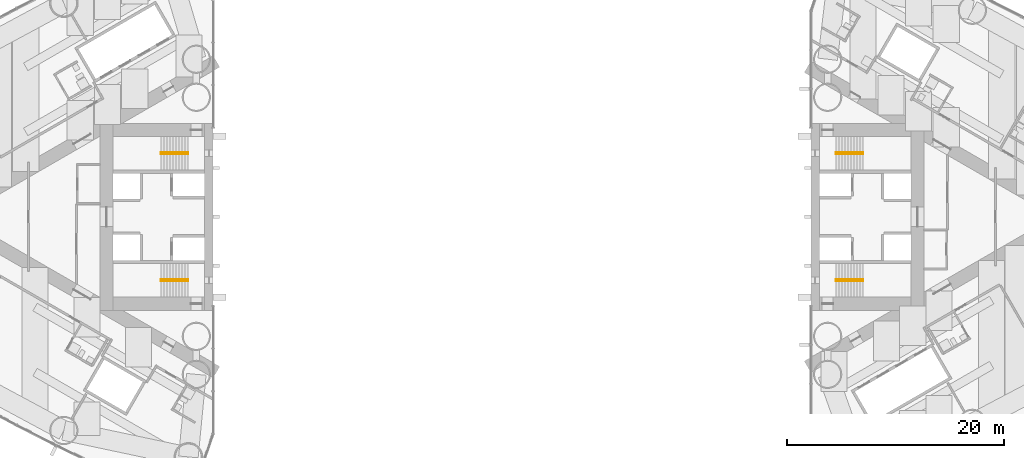
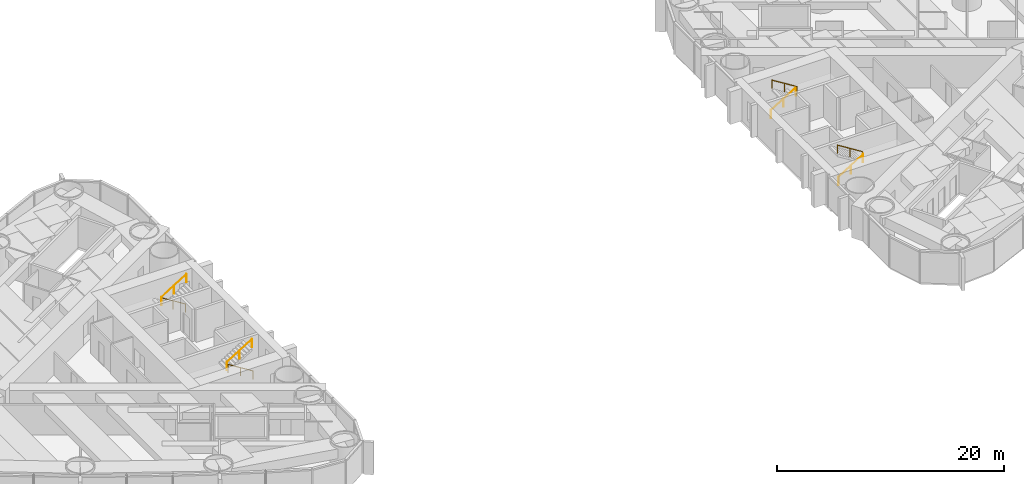
# One storey, part 17 of 18: 8 railings.
"""IFC4 building model written with IfcOpenShell, lengths in metres."""

from ifc_helpers import new_model, si_unit, direction, frame, origin, origin_2d, place, context, subcontext, project, spatial, circle, extrude, material, type_object, element, save


model = new_model("IFC4")

# Units and contexts
model_context = context("Model", 3, precision=1e-05, world=origin(), true_north=direction((0.0, 1.0)))
body_context = subcontext(model_context, "Body", "Model", "MODEL_VIEW")
ifc_project = project(units=[si_unit("LENGTHUNIT", "METRE"), si_unit("AREAUNIT", "SQUARE_METRE"), si_unit("VOLUMEUNIT", "CUBIC_METRE"), si_unit("PLANEANGLEUNIT", "RADIAN"), si_unit("MASSUNIT", "GRAM", prefix="KILO")], contexts=[model_context])

# Site, building, storey
site_placement = place(None, origin())
site = spatial("IfcSite", under=ifc_project, at=site_placement, CompositionType="ELEMENT")
building_placement = place(site_placement, origin())
building = spatial("IfcBuilding", under=site, at=building_placement, Name="Lancet Gate Hotel", CompositionType="ELEMENT")
storey_placement = place(building_placement, frame((0.0, 0.0, 108.10009765625)))
storey = spatial("IfcBuildingStorey", under=building, at=storey_placement, Name="L28", CompositionType="ELEMENT", Elevation=108.10009765625)

# Railings
ifc_material = material(Name="Stainless steel handrail", Category="steel")
railing_type = type_object("IfcRailingType", Name="Stair handrail 900", PredefinedType="HANDRAIL", material=ifc_material)
railing_1_placement = place(storey_placement, frame((-29.800048828125, 5.929931640625, 0.1748046875)))
element("IfcRailing", 1, at=railing_1_placement, inside=storey, type_object=railing_type, Name="ST1 handrail flight 1 L28", PredefinedType="HANDRAIL", context=body_context, shape_type="SweptSolid", body=[
    extrude(circle(Radius=0.02392578125, at=origin_2d()), frame((0.0, 0.0, 0.8759765625), z_axis=(-0.847970611238, 0.0, 0.530043245855), x_axis=(0.0, -1.0, 0.0)), (0.0, 0.0, 1.0), 2.971923828125),
    extrude(circle(Radius=0.02099609375, at=origin_2d()), origin(), (0.0, 0.0, 1.0), 0.851806640625),
    extrude(circle(Radius=0.02099609375, at=origin_2d()), frame((-1.260009765625, 0.0, 0.78759765625)), (0.0, 0.0, 1.0), 0.851806640625),
    extrude(circle(Radius=0.02099609375, at=origin_2d()), frame((-2.52001953125, 0.0, 1.5751953125)), (0.0, 0.0, 1.0), 0.851806640625),
])
railing_2_placement = place(storey_placement, frame((-32.320068359375, 5.77001953125, 1.9248046875)))
element("IfcRailing", 2, at=railing_2_placement, inside=storey, type_object=railing_type, Name="ST1 handrail flight 2 L28", PredefinedType="HANDRAIL", context=body_context, shape_type="SweptSolid", body=[
    extrude(circle(Radius=0.02392578125, at=origin_2d()), frame((0.0, 0.0, 0.8759765625), z_axis=(0.847970611238, 0.0, 0.530043245855), x_axis=(0.0, 1.0, 0.0)), (0.0, 0.0, 1.0), 2.971923828125),
    extrude(circle(Radius=0.02099609375, at=origin_2d()), origin(), (0.0, 0.0, 1.0), 0.851806640625),
    extrude(circle(Radius=0.02099609375, at=origin_2d()), frame((1.260009765625, 0.0, 0.78759765625)), (0.0, 0.0, 1.0), 0.851806640625),
    extrude(circle(Radius=0.02099609375, at=origin_2d()), frame((2.52001953125, 0.0, 1.5751953125)), (0.0, 0.0, 1.0), 0.851806640625),
])
railing_3_placement = place(storey_placement, frame((-29.800048828125, -5.929931640625, 0.1748046875)))
element("IfcRailing", 3, at=railing_3_placement, inside=storey, type_object=railing_type, Name="ST2 handrail flight 1 L28", PredefinedType="HANDRAIL", context=body_context, shape_type="SweptSolid", body=[
    extrude(circle(Radius=0.02392578125, at=origin_2d()), frame((0.0, 0.0, 0.8759765625), z_axis=(-0.847970611238, 0.0, 0.530043245855), x_axis=(0.0, -1.0, 0.0)), (0.0, 0.0, 1.0), 2.971923828125),
    extrude(circle(Radius=0.02099609375, at=origin_2d()), origin(), (0.0, 0.0, 1.0), 0.851806640625),
    extrude(circle(Radius=0.02099609375, at=origin_2d()), frame((-1.260009765625, 0.0, 0.78759765625)), (0.0, 0.0, 1.0), 0.851806640625),
    extrude(circle(Radius=0.02099609375, at=origin_2d()), frame((-2.52001953125, 0.0, 1.5751953125)), (0.0, 0.0, 1.0), 0.851806640625),
])
for number, where, name in (
    (4, (-32.320068359375, -5.77001953125, 1.9248046875), "ST2 handrail flight 2 L28"),
    (5, (29.800048828125, -5.929931640625, 0.1748046875), "ST3 handrail flight 1 L28"),
):
    element("IfcRailing", number, at=place(storey_placement, frame(where)), inside=storey, type_object=railing_type, Name=name, PredefinedType="HANDRAIL", context=body_context, shape_type="SweptSolid", body=[
        extrude(circle(Radius=0.02392578125, at=origin_2d()), frame((0.0, 0.0, 0.8759765625), z_axis=(0.847970611238, 0.0, 0.530043245855), x_axis=(0.0, 1.0, 0.0)), (0.0, 0.0, 1.0), 2.971923828125),
        extrude(circle(Radius=0.02099609375, at=origin_2d()), origin(), (0.0, 0.0, 1.0), 0.851806640625),
        extrude(circle(Radius=0.02099609375, at=origin_2d()), frame((1.260009765625, 0.0, 0.78759765625)), (0.0, 0.0, 1.0), 0.851806640625),
        extrude(circle(Radius=0.02099609375, at=origin_2d()), frame((2.52001953125, 0.0, 1.5751953125)), (0.0, 0.0, 1.0), 0.851806640625),
    ])
railing_4_placement = place(storey_placement, frame((32.320068359375, -5.77001953125, 1.9248046875)))
element("IfcRailing", 6, at=railing_4_placement, inside=storey, type_object=railing_type, Name="ST3 handrail flight 2 L28", PredefinedType="HANDRAIL", context=body_context, shape_type="SweptSolid", body=[
    extrude(circle(Radius=0.02392578125, at=origin_2d()), frame((0.0, 0.0, 0.8759765625), z_axis=(-0.847970611238, 0.0, 0.530043245855), x_axis=(0.0, -1.0, 0.0)), (0.0, 0.0, 1.0), 2.971923828125),
    extrude(circle(Radius=0.02099609375, at=origin_2d()), origin(), (0.0, 0.0, 1.0), 0.851806640625),
    extrude(circle(Radius=0.02099609375, at=origin_2d()), frame((-1.260009765625, 0.0, 0.78759765625)), (0.0, 0.0, 1.0), 0.851806640625),
    extrude(circle(Radius=0.02099609375, at=origin_2d()), frame((-2.52001953125, 0.0, 1.5751953125)), (0.0, 0.0, 1.0), 0.851806640625),
])
railing_5_placement = place(storey_placement, frame((29.800048828125, 5.929931640625, 0.1748046875)))
element("IfcRailing", 7, at=railing_5_placement, inside=storey, type_object=railing_type, Name="ST4 handrail flight 1 L28", PredefinedType="HANDRAIL", context=body_context, shape_type="SweptSolid", body=[
    extrude(circle(Radius=0.02392578125, at=origin_2d()), frame((0.0, 0.0, 0.8759765625), z_axis=(0.847970611238, 0.0, 0.530043245855), x_axis=(0.0, 1.0, 0.0)), (0.0, 0.0, 1.0), 2.971923828125),
    extrude(circle(Radius=0.02099609375, at=origin_2d()), origin(), (0.0, 0.0, 1.0), 0.851806640625),
    extrude(circle(Radius=0.02099609375, at=origin_2d()), frame((1.260009765625, 0.0, 0.78759765625)), (0.0, 0.0, 1.0), 0.851806640625),
    extrude(circle(Radius=0.02099609375, at=origin_2d()), frame((2.52001953125, 0.0, 1.5751953125)), (0.0, 0.0, 1.0), 0.851806640625),
])
railing_6_placement = place(storey_placement, frame((32.320068359375, 5.77001953125, 1.9248046875)))
element("IfcRailing", 8, at=railing_6_placement, inside=storey, type_object=railing_type, Name="ST4 handrail flight 2 L28", PredefinedType="HANDRAIL", context=body_context, shape_type="SweptSolid", body=[
    extrude(circle(Radius=0.02392578125, at=origin_2d()), frame((0.0, 0.0, 0.8759765625), z_axis=(-0.847970611238, 0.0, 0.530043245855), x_axis=(0.0, -1.0, 0.0)), (0.0, 0.0, 1.0), 2.971923828125),
    extrude(circle(Radius=0.02099609375, at=origin_2d()), origin(), (0.0, 0.0, 1.0), 0.851806640625),
    extrude(circle(Radius=0.02099609375, at=origin_2d()), frame((-1.260009765625, 0.0, 0.78759765625)), (0.0, 0.0, 1.0), 0.851806640625),
    extrude(circle(Radius=0.02099609375, at=origin_2d()), frame((-2.52001953125, 0.0, 1.5751953125)), (0.0, 0.0, 1.0), 0.851806640625),
])

save(model, "model.ifc")
